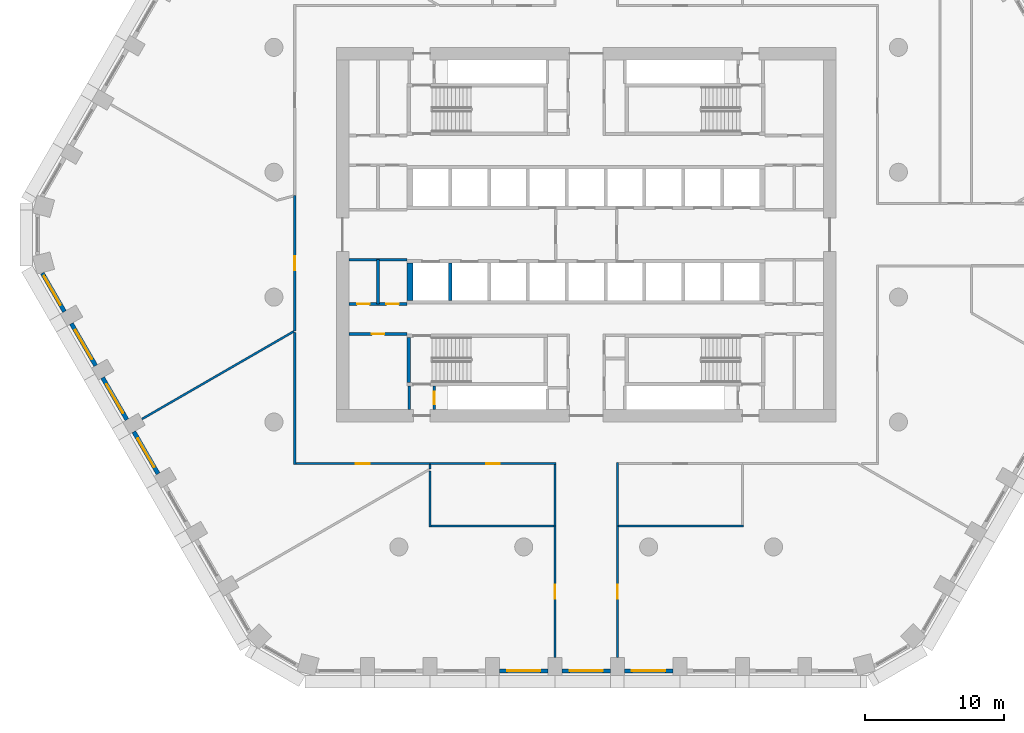
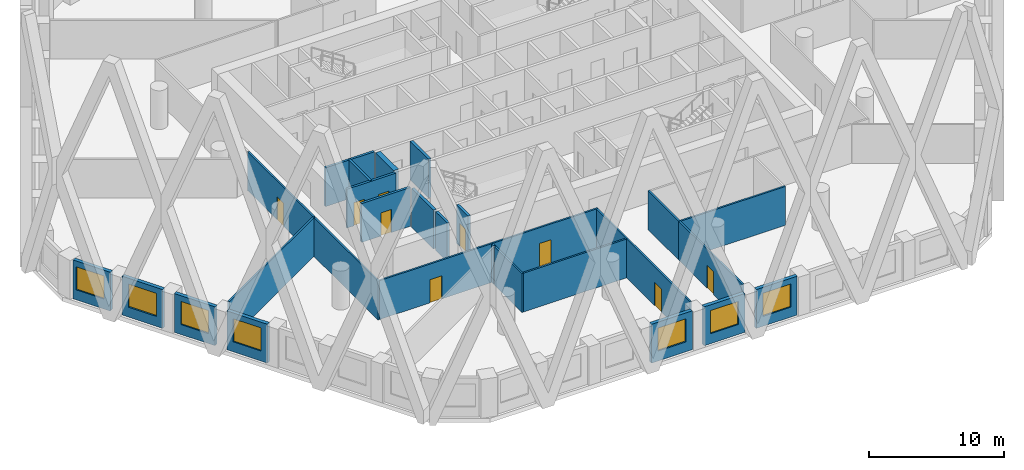
# One storey, part 2 of 18: 29 walls, 9 doors, 7 windows, 16 openings.
"""IFC4 building model written with IfcOpenShell, lengths in metres."""

from ifc_helpers import new_model, si_unit, direction, frame, frame_2d, origin, place, context, subcontext, project, spatial, polyline, rectangle, outline, extrude, material, layer, layer_set, type_object, element, fill, save


model = new_model("IFC4")

# Units and contexts
model_context = context("Model", 3, precision=1e-05, world=origin(), true_north=direction((0.0, 1.0)))
body_context = subcontext(model_context, "Body", "Model", "MODEL_VIEW")
ifc_project = project(units=[si_unit("LENGTHUNIT", "METRE"), si_unit("AREAUNIT", "SQUARE_METRE"), si_unit("VOLUMEUNIT", "CUBIC_METRE"), si_unit("PLANEANGLEUNIT", "RADIAN"), si_unit("MASSUNIT", "GRAM", prefix="KILO")], contexts=[model_context])

# Site, building, storey
site_placement = place(None, origin())
site = spatial("IfcSite", under=ifc_project, at=site_placement, CompositionType="ELEMENT")
building_placement = place(site_placement, origin())
building = spatial("IfcBuilding", under=site, at=building_placement, Name="Dhurran Vertical Campus", CompositionType="ELEMENT")
storey_placement = place(building_placement, frame((0.0, 0.0, 81.300048828125)))
storey = spatial("IfcBuildingStorey", under=building, at=storey_placement, Name="L19", CompositionType="ELEMENT", Elevation=81.300048828125)

# Wall, opening, window
ifc_material_1 = material(Name="Precast concrete C50/60", Category="concrete")
ifc_layer_1 = layer(ifc_material_1, 0.300048828125)
ifc_layer_set_1 = layer_set([ifc_layer_1], Name="Precast concrete C50/60")
wall_type_1 = type_object("IfcWallType", Name="Precast spandrel wall 300", PredefinedType="SOLIDWALL", material=ifc_layer_set_1)
wall_1_placement = place(storey_placement, frame((-6.24951171875, -31.4296875, 0.0), z_axis=(0.0, 0.0, 1.0), x_axis=(1.0, 0.0, 0.0)))
wall_1 = element("IfcWall", 1, at=wall_1_placement, inside=storey, type_object=wall_type_1, Name="EW1 L19.03", PredefinedType="SOLIDWALL", context=body_context, shape_type="SweptSolid", body=[
    extrude(rectangle(XDim=3.4990234375, YDim=0.300048828125, at=frame_2d((1.74951171875, 0.0))), origin(), (0.0, 0.0, 1.0), 3.52490234375),
])
opening_1_placement = place(wall_1_placement, frame((0.549560546875, 0.0, 0.89990234375)))
opening_1 = element("IfcOpeningElement", 2, at=opening_1_placement, cuts=wall_1, Name="Opening WT1", PredefinedType="OPENING", context=body_context, shape_type="SweptSolid", body=[
    extrude(rectangle(XDim=2.39990234375, YDim=2.10009765625, at=frame_2d((1.199951171875, 1.050048828125))), frame((0.0, 0.159912109375, 0.0), z_axis=(0.0, -1.0, 0.0), x_axis=(1.0, 0.0, 0.0)), (0.0, 0.0, 1.0), 0.320068359375),
])
ifc_material_2 = material(Name="Aluminium frame with solar-control glass", Category="aluminium")
window_type = type_object("IfcWindowType", Name="Punched window 2400 x 2100", PartitioningType="SINGLE_PANEL", PredefinedType="WINDOW", material=ifc_material_2)
window_1_placement = place(opening_1_placement, origin())
window_1 = element("IfcWindow", 3, at=window_1_placement, inside=storey, type_object=window_type, Name="WT1 L19.03", OverallHeight=2.10009765625, OverallWidth=2.39990234375, PartitioningType="SINGLE_PANEL", PredefinedType="WINDOW", context=body_context, shape_type="SweptSolid", body=[
    extrude(rectangle(XDim=2.39990234375, YDim=2.10009765625, at=frame_2d((1.199951171875, 1.050048828125))), frame((0.0, 0.030029296875, 0.0), z_axis=(0.0, -1.0, 0.0), x_axis=(1.0, 0.0, 0.0)), (0.0, 0.0, 1.0), 0.06005859375),
])
fill(opening_1, window_1)

wall_2_placement = place(storey_placement, frame((-1.74951171875, -31.4296875, 0.0), z_axis=(0.0, 0.0, 1.0), x_axis=(1.0, 0.0, 0.0)))
wall_2 = element("IfcWall", 4, at=wall_2_placement, inside=storey, type_object=wall_type_1, Name="EW1 L19.04", PredefinedType="SOLIDWALL", context=body_context, shape_type="SweptSolid", body=[
    extrude(rectangle(XDim=3.4990234375, YDim=0.300048828125, at=frame_2d((1.74951171875, 0.0))), origin(), (0.0, 0.0, 1.0), 3.52490234375),
])
opening_2_placement = place(wall_2_placement, frame((0.549560546875, 0.0, 0.89990234375)))
opening_2 = element("IfcOpeningElement", 5, at=opening_2_placement, cuts=wall_2, Name="Opening WT1", PredefinedType="OPENING", context=body_context, shape_type="SweptSolid", body=[
    extrude(rectangle(XDim=2.39990234375, YDim=2.10009765625, at=frame_2d((1.199951171875, 1.050048828125))), frame((0.0, 0.159912109375, 0.0), z_axis=(0.0, -1.0, 0.0), x_axis=(1.0, 0.0, 0.0)), (0.0, 0.0, 1.0), 0.320068359375),
])
window_2_placement = place(opening_2_placement, origin())
window_2 = element("IfcWindow", 6, at=window_2_placement, inside=storey, type_object=window_type, Name="WT1 L19.04", OverallHeight=2.10009765625, OverallWidth=2.39990234375, PartitioningType="SINGLE_PANEL", PredefinedType="WINDOW", context=body_context, shape_type="SweptSolid", body=[
    extrude(rectangle(XDim=2.39990234375, YDim=2.10009765625, at=frame_2d((1.199951171875, 1.050048828125))), frame((0.0, 0.030029296875, 0.0), z_axis=(0.0, -1.0, 0.0), x_axis=(1.0, 0.0, 0.0)), (0.0, 0.0, 1.0), 0.06005859375),
])
fill(opening_2, window_2)

wall_3_placement = place(storey_placement, frame((2.75048828125, -31.4296875, 0.0), z_axis=(0.0, 0.0, 1.0), x_axis=(1.0, 0.0, 0.0)))
wall_3 = element("IfcWall", 7, at=wall_3_placement, inside=storey, type_object=wall_type_1, Name="EW1 L19.05", PredefinedType="SOLIDWALL", context=body_context, shape_type="SweptSolid", body=[
    extrude(rectangle(XDim=3.4990234375, YDim=0.300048828125, at=frame_2d((1.74951171875, 0.0))), origin(), (0.0, 0.0, 1.0), 3.52490234375),
])
opening_3_placement = place(wall_3_placement, frame((0.549560546875, 0.0, 0.89990234375)))
opening_3 = element("IfcOpeningElement", 8, at=opening_3_placement, cuts=wall_3, Name="Opening WT1", PredefinedType="OPENING", context=body_context, shape_type="SweptSolid", body=[
    extrude(rectangle(XDim=2.39990234375, YDim=2.10009765625, at=frame_2d((1.199951171875, 1.050048828125))), frame((0.0, 0.159912109375, 0.0), z_axis=(0.0, -1.0, 0.0), x_axis=(1.0, 0.0, 0.0)), (0.0, 0.0, 1.0), 0.320068359375),
])
window_3_placement = place(opening_3_placement, origin())
window_3 = element("IfcWindow", 9, at=window_3_placement, inside=storey, type_object=window_type, Name="WT1 L19.05", OverallHeight=2.10009765625, OverallWidth=2.39990234375, PartitioningType="SINGLE_PANEL", PredefinedType="WINDOW", context=body_context, shape_type="SweptSolid", body=[
    extrude(rectangle(XDim=2.39990234375, YDim=2.10009765625, at=frame_2d((1.199951171875, 1.050048828125))), frame((0.0, 0.030029296875, 0.0), z_axis=(0.0, -1.0, 0.0), x_axis=(1.0, 0.0, 0.0)), (0.0, 0.0, 1.0), 0.06005859375),
])
fill(opening_3, window_3)

wall_4_placement = place(storey_placement, frame((-39.1904296875, -2.774169921875, 0.0), z_axis=(0.0, 0.0, 1.0), x_axis=(0.500004907028, -0.866022570692, 0.0)))
wall_4 = element("IfcWall", 10, at=wall_4_placement, inside=storey, type_object=wall_type_1, Name="EW1 L19.44", PredefinedType="SOLIDWALL", context=body_context, shape_type="SweptSolid", body=[
    extrude(rectangle(XDim=3.1923828125, YDim=0.300048828125, at=frame_2d((1.59619140625, 0.0))), origin(), (0.0, 0.0, 1.0), 3.52490234375),
])
opening_4_placement = place(wall_4_placement, frame((0.242919921875, 0.0, 0.89990234375)))
opening_4 = element("IfcOpeningElement", 11, at=opening_4_placement, cuts=wall_4, Name="Opening WT1", PredefinedType="OPENING", context=body_context, shape_type="SweptSolid", body=[
    extrude(rectangle(XDim=2.39990234375, YDim=2.10009765625, at=frame_2d((1.199951171875, 1.050048828125))), frame((0.0, 0.159912109375, 0.0), z_axis=(0.0, -1.0, 0.0), x_axis=(1.0, 0.0, 0.0)), (0.0, 0.0, 1.0), 0.320068359375),
])
window_4_placement = place(opening_4_placement, origin())
window_4 = element("IfcWindow", 12, at=window_4_placement, inside=storey, type_object=window_type, Name="WT1 L19.44", OverallHeight=2.10009765625, OverallWidth=2.39990234375, PartitioningType="SINGLE_PANEL", PredefinedType="WINDOW", context=body_context, shape_type="SweptSolid", body=[
    extrude(rectangle(XDim=2.39990234375, YDim=2.10009765625, at=frame_2d((1.199951171875, 1.050048828125))), frame((0.0, 0.030029296875, 0.0), z_axis=(0.0, -1.0, 0.0), x_axis=(1.0, 0.0, 0.0)), (0.0, 0.0, 1.0), 0.06005859375),
])
fill(opening_4, window_4)

wall_5_placement = place(storey_placement, frame((-37.09375, -6.405517578125, 0.0), z_axis=(0.0, 0.0, 1.0), x_axis=(0.499996256241, -0.866027565234, 0.0)))
wall_5 = element("IfcWall", 13, at=wall_5_placement, inside=storey, type_object=wall_type_1, Name="EW1 L19.45", PredefinedType="SOLIDWALL", context=body_context, shape_type="SweptSolid", body=[
    extrude(rectangle(XDim=3.4990234375, YDim=0.300048828125, at=frame_2d((1.74951171875, 0.0))), origin(), (0.0, 0.0, 1.0), 3.52490234375),
])
opening_5_placement = place(wall_5_placement, frame((0.549560546875, 0.0, 0.89990234375)))
opening_5 = element("IfcOpeningElement", 14, at=opening_5_placement, cuts=wall_5, Name="Opening WT1", PredefinedType="OPENING", context=body_context, shape_type="SweptSolid", body=[
    extrude(rectangle(XDim=2.39990234375, YDim=2.10009765625, at=frame_2d((1.199951171875, 1.050048828125))), frame((0.0, 0.159912109375, 0.0), z_axis=(0.0, -1.0, 0.0), x_axis=(1.0, 0.0, 0.0)), (0.0, 0.0, 1.0), 0.320068359375),
])
window_5_placement = place(opening_5_placement, origin())
window_5 = element("IfcWindow", 15, at=window_5_placement, inside=storey, type_object=window_type, Name="WT1 L19.45", OverallHeight=2.10009765625, OverallWidth=2.39990234375, PartitioningType="SINGLE_PANEL", PredefinedType="WINDOW", context=body_context, shape_type="SweptSolid", body=[
    extrude(rectangle(XDim=2.39990234375, YDim=2.10009765625, at=frame_2d((1.199951171875, 1.050048828125))), frame((0.0, 0.030029296875, 0.0), z_axis=(0.0, -1.0, 0.0), x_axis=(1.0, 0.0, 0.0)), (0.0, 0.0, 1.0), 0.06005859375),
])
fill(opening_5, window_5)

wall_6_placement = place(storey_placement, frame((-34.84375, -10.302734375, 0.0), z_axis=(0.0, 0.0, 1.0), x_axis=(0.499996256241, -0.866027565234, 0.0)))
wall_6 = element("IfcWall", 16, at=wall_6_placement, inside=storey, type_object=wall_type_1, Name="EW1 L19.46", PredefinedType="SOLIDWALL", context=body_context, shape_type="SweptSolid", body=[
    extrude(rectangle(XDim=3.4990234375, YDim=0.300048828125, at=frame_2d((1.74951171875, 0.0))), origin(), (0.0, 0.0, 1.0), 3.52490234375),
])
opening_6_placement = place(wall_6_placement, frame((0.549560546875, 0.0, 0.89990234375)))
opening_6 = element("IfcOpeningElement", 17, at=opening_6_placement, cuts=wall_6, Name="Opening WT1", PredefinedType="OPENING", context=body_context, shape_type="SweptSolid", body=[
    extrude(rectangle(XDim=2.39990234375, YDim=2.10009765625, at=frame_2d((1.199951171875, 1.050048828125))), frame((0.0, 0.159912109375, 0.0), z_axis=(0.0, -1.0, 0.0), x_axis=(1.0, 0.0, 0.0)), (0.0, 0.0, 1.0), 0.320068359375),
])
window_6_placement = place(opening_6_placement, origin())
window_6 = element("IfcWindow", 18, at=window_6_placement, inside=storey, type_object=window_type, Name="WT1 L19.46", OverallHeight=2.10009765625, OverallWidth=2.39990234375, PartitioningType="SINGLE_PANEL", PredefinedType="WINDOW", context=body_context, shape_type="SweptSolid", body=[
    extrude(rectangle(XDim=2.39990234375, YDim=2.10009765625, at=frame_2d((1.199951171875, 1.050048828125))), frame((0.0, 0.030029296875, 0.0), z_axis=(0.0, -1.0, 0.0), x_axis=(1.0, 0.0, 0.0)), (0.0, 0.0, 1.0), 0.06005859375),
])
fill(opening_6, window_6)

wall_7_placement = place(storey_placement, frame((-32.59375, -14.19970703125, 0.0), z_axis=(0.0, 0.0, 1.0), x_axis=(0.499996256241, -0.866027565234, 0.0)))
wall_7 = element("IfcWall", 19, at=wall_7_placement, inside=storey, type_object=wall_type_1, Name="EW1 L19.47", PredefinedType="SOLIDWALL", context=body_context, shape_type="SweptSolid", body=[
    extrude(rectangle(XDim=3.4990234375, YDim=0.300048828125, at=frame_2d((1.74951171875, 0.0))), origin(), (0.0, 0.0, 1.0), 3.52490234375),
])
opening_7_placement = place(wall_7_placement, frame((0.549560546875, 0.0, 0.89990234375)))
opening_7 = element("IfcOpeningElement", 20, at=opening_7_placement, cuts=wall_7, Name="Opening WT1", PredefinedType="OPENING", context=body_context, shape_type="SweptSolid", body=[
    extrude(rectangle(XDim=2.39990234375, YDim=2.10009765625, at=frame_2d((1.199951171875, 1.050048828125))), frame((0.0, 0.159912109375, 0.0), z_axis=(0.0, -1.0, 0.0), x_axis=(1.0, 0.0, 0.0)), (0.0, 0.0, 1.0), 0.320068359375),
])
window_7_placement = place(opening_7_placement, origin())
window_7 = element("IfcWindow", 21, at=window_7_placement, inside=storey, type_object=window_type, Name="WT1 L19.47", OverallHeight=2.10009765625, OverallWidth=2.39990234375, PartitioningType="SINGLE_PANEL", PredefinedType="WINDOW", context=body_context, shape_type="SweptSolid", body=[
    extrude(rectangle(XDim=2.39990234375, YDim=2.10009765625, at=frame_2d((1.199951171875, 1.050048828125))), frame((0.0, 0.030029296875, 0.0), z_axis=(0.0, -1.0, 0.0), x_axis=(1.0, 0.0, 0.0)), (0.0, 0.0, 1.0), 0.06005859375),
])
fill(opening_7, window_7)

# Wall
ifc_material_3 = material(Name="Fire-rated masonry blockwork", Category="masonry")
ifc_layer_2 = layer(ifc_material_3, 0.199951171875)
ifc_layer_set_2 = layer_set([ifc_layer_2], Name="Fire-rated masonry blockwork")
wall_type_2 = type_object("IfcWallType", Name="co-FIRE-PARTITION-200", PredefinedType="PARTITIONING", material=ifc_layer_set_2)
wall_8_placement = place(storey_placement, frame((-12.75, -12.60009765625, 0.0), z_axis=(0.0, 0.0, 1.0), x_axis=(0.0, 1.0, 0.0)))
element("IfcWall", 22, at=wall_8_placement, inside=storey, type_object=wall_type_2, Name="Core partition pass-ST3-o L19", PredefinedType="PARTITIONING", context=body_context, shape_type="SweptSolid", body=[
    extrude(rectangle(XDim=1.7001953125, YDim=0.199951171875, at=frame_2d((0.85009765625, 0.0))), origin(), (0.0, 0.0, 1.0), 3.52490234375),
])

# Wall, opening, door
wall_9_placement = place(storey_placement, frame((-10.949951171875, -12.60009765625, 0.0), z_axis=(0.0, 0.0, 1.0), x_axis=(0.0, 1.0, 0.0)))
wall_9 = element("IfcWall", 23, at=wall_9_placement, inside=storey, type_object=wall_type_2, Name="Core partition pass-ST3-i L19", PredefinedType="PARTITIONING", context=body_context, shape_type="SweptSolid", body=[
    extrude(rectangle(XDim=1.7001953125, YDim=0.199951171875, at=frame_2d((0.85009765625, 0.0))), origin(), (0.0, 0.0, 1.0), 3.52490234375),
])
opening_8_placement = place(wall_9_placement, frame((0.39990234375, 0.0, 0.0)))
opening_8 = element("IfcOpeningElement", 24, at=opening_8_placement, cuts=wall_9, Name="Opening T05-C10", PredefinedType="OPENING", context=body_context, shape_type="SweptSolid", body=[
    extrude(rectangle(XDim=0.89990234375, YDim=2.10009765625, at=frame_2d((0.449951171875, 1.050048828125))), frame((0.0, 0.10986328125, 0.0), z_axis=(0.0, -1.0, 0.0), x_axis=(1.0, 0.0, 0.0)), (0.0, 0.0, 1.0), 0.219970703125),
])
ifc_material_4 = material(Name="Fire-rated timber door set", Category="wood")
door_type_1 = type_object("IfcDoorType", Name="co-D-ROOM 900x2100", OperationType="SINGLE_SWING_LEFT", PredefinedType="DOOR", material=ifc_material_4)
door_1_placement = place(opening_8_placement, origin())
door_1 = element("IfcDoor", 25, at=door_1_placement, inside=storey, type_object=door_type_1, Name="Riser room door L19", OperationType="SINGLE_SWING_LEFT", OverallHeight=2.10009765625, OverallWidth=0.89990234375, PredefinedType="DOOR", context=body_context, shape_type="SweptSolid", body=[
    extrude(rectangle(XDim=0.89990234375, YDim=2.10009765625, at=frame_2d((0.449951171875, 1.050048828125))), frame((0.0, 0.02490234375, 0.0), z_axis=(0.0, -1.0, 0.0), x_axis=(1.0, 0.0, 0.0)), (0.0, 0.0, 1.0), 0.050048828125),
])
fill(opening_8, door_1)

wall_10_placement = place(storey_placement, frame((-17.10009765625, -7.14990234375, 0.0), z_axis=(0.0, 0.0, 1.0), x_axis=(1.0, 0.0, 0.0)))
wall_10 = element("IfcWall", 26, at=wall_10_placement, inside=storey, type_object=wall_type_2, Name="Core partition en-SW-w L19", PredefinedType="PARTITIONING", context=body_context, shape_type="SweptSolid", body=[
    extrude(rectangle(XDim=4.2001953125, YDim=0.199951171875, at=frame_2d((2.10009765625, 0.0))), origin(), (0.0, 0.0, 1.0), 3.52490234375),
])
opening_9_placement = place(wall_10_placement, frame((1.64990234375, 0.0, 0.0)))
opening_9 = element("IfcOpeningElement", 27, at=opening_9_placement, cuts=wall_10, Name="Opening T05-C19", PredefinedType="OPENING", context=body_context, shape_type="SweptSolid", body=[
    extrude(rectangle(XDim=0.89990234375, YDim=2.10009765625, at=frame_2d((0.449951171875, 1.050048828125))), frame((0.0, 0.10986328125, 0.0), z_axis=(0.0, -1.0, 0.0), x_axis=(1.0, 0.0, 0.0)), (0.0, 0.0, 1.0), 0.219970703125),
])
door_2_placement = place(opening_9_placement, origin())
door_2 = element("IfcDoor", 28, at=door_2_placement, inside=storey, type_object=door_type_1, Name="Store door L19", OperationType="SINGLE_SWING_LEFT", OverallHeight=2.10009765625, OverallWidth=0.89990234375, PredefinedType="DOOR", context=body_context, shape_type="SweptSolid", body=[
    extrude(rectangle(XDim=0.89990234375, YDim=2.10009765625, at=frame_2d((0.449951171875, 1.050048828125))), frame((0.0, 0.02490234375, 0.0), z_axis=(0.0, -1.0, 0.0), x_axis=(1.0, 0.0, 0.0)), (0.0, 0.0, 1.0), 0.050048828125),
])
fill(opening_9, door_2)

# Wall
wall_11_placement = place(storey_placement, frame((-15.0, -5.0, 0.0), z_axis=(0.0, 0.0, 1.0), x_axis=(0.0, 1.0, 0.0)))
element("IfcWall", 29, at=wall_11_placement, inside=storey, type_object=wall_type_2, Name="Core partition es-SW-cut0 L19", PredefinedType="PARTITIONING", context=body_context, shape_type="SweptSolid", body=[
    extrude(rectangle(XDim=3.199951171875, YDim=0.199951171875, at=frame_2d((1.60009765625, 0.0))), origin(), (0.0, 0.0, 1.0), 3.52490234375),
])

# Wall, openings, doors
wall_12_placement = place(storey_placement, frame((-17.10009765625, -5.0, 0.0), z_axis=(0.0, 0.0, 1.0), x_axis=(1.0, 0.0, 0.0)))
wall_12 = element("IfcWall", 30, at=wall_12_placement, inside=storey, type_object=wall_type_2, Name="Core partition es-SW-w L19", PredefinedType="PARTITIONING", context=body_context, shape_type="SweptSolid", body=[
    extrude(rectangle(XDim=4.2001953125, YDim=0.199951171875, at=frame_2d((2.10009765625, 0.0))), origin(), (0.0, 0.0, 1.0), 3.52490234375),
])
opening_10_placement = place(wall_12_placement, frame((0.60009765625, 0.0, 0.0)))
opening_10 = element("IfcOpeningElement", 31, at=opening_10_placement, cuts=wall_12, Name="Opening T05-C20", PredefinedType="OPENING", context=body_context, shape_type="SweptSolid", body=[
    extrude(rectangle(XDim=0.89990234375, YDim=2.10009765625, at=frame_2d((0.449951171875, 1.050048828125))), frame((0.0, 0.10986328125, 0.0), z_axis=(0.0, -1.0, 0.0), x_axis=(1.0, 0.0, 0.0)), (0.0, 0.0, 1.0), 0.219970703125),
])
opening_11_placement = place(wall_12_placement, frame((2.699951171875, 0.0, 0.0)))
opening_11 = element("IfcOpeningElement", 32, at=opening_11_placement, cuts=wall_12, Name="Opening T05-C21", PredefinedType="OPENING", context=body_context, shape_type="SweptSolid", body=[
    extrude(rectangle(XDim=0.89990234375, YDim=2.10009765625, at=frame_2d((0.449951171875, 1.050048828125))), frame((0.0, 0.10986328125, 0.0), z_axis=(0.0, -1.0, 0.0), x_axis=(1.0, 0.0, 0.0)), (0.0, 0.0, 1.0), 0.219970703125),
])
door_3_placement = place(opening_10_placement, origin())
door_3 = element("IfcDoor", 33, at=door_3_placement, inside=storey, type_object=door_type_1, Name="Waste room door L19", OperationType="SINGLE_SWING_LEFT", OverallHeight=2.10009765625, OverallWidth=0.89990234375, PredefinedType="DOOR", context=body_context, shape_type="SweptSolid", body=[
    extrude(rectangle(XDim=0.89990234375, YDim=2.10009765625, at=frame_2d((0.449951171875, 1.050048828125))), frame((0.0, 0.02490234375, 0.0), z_axis=(0.0, -1.0, 0.0), x_axis=(1.0, 0.0, 0.0)), (0.0, 0.0, 1.0), 0.050048828125),
])
fill(opening_10, door_3)
door_4_placement = place(opening_11_placement, origin())
door_4 = element("IfcDoor", 34, at=door_4_placement, inside=storey, type_object=door_type_1, Name="Water riser door L19", OperationType="SINGLE_SWING_LEFT", OverallHeight=2.10009765625, OverallWidth=0.89990234375, PredefinedType="DOOR", context=body_context, shape_type="SweptSolid", body=[
    extrude(rectangle(XDim=0.89990234375, YDim=2.10009765625, at=frame_2d((0.449951171875, 1.050048828125))), frame((0.0, 0.02490234375, 0.0), z_axis=(0.0, -1.0, 0.0), x_axis=(1.0, 0.0, 0.0)), (0.0, 0.0, 1.0), 0.050048828125),
])
fill(opening_11, door_4)

# Walls
wall_13_placement = place(storey_placement, frame((-17.10009765625, -1.800048828125, 0.0), z_axis=(0.0, 0.0, 1.0), x_axis=(1.0, 0.0, 0.0)))
element("IfcWall", 35, at=wall_13_placement, inside=storey, type_object=wall_type_2, Name="Core partition es-SW-l L19", PredefinedType="PARTITIONING", context=body_context, shape_type="SweptSolid", body=[
    extrude(rectangle(XDim=4.2001953125, YDim=0.199951171875, at=frame_2d((2.10009765625, 0.0))), origin(), (0.0, 0.0, 1.0), 3.52490234375),
])
ifc_material_5 = material(Name="Concrete C50/60", Category="concrete")
ifc_layer_3 = layer(ifc_material_5, 0.25)
ifc_layer_set_3 = layer_set([ifc_layer_3], Name="Concrete C50/60")
wall_type_3 = type_object("IfcWallType", Name="co-SHAFT-MASS-250", PredefinedType="SHEAR", material=ifc_layer_set_3)
wall_14_placement = place(storey_placement, origin())
element("IfcWall", 36, at=wall_14_placement, inside=storey, type_object=wall_type_3, Name="Lift shaft wall S L19 2", PredefinedType="SHEAR", context=body_context, shape_type="SweptSolid", body=[
    extrude(outline(polyline([(-12.89990234375, -4.75), (-12.47509765625, -4.75), (-12.47509765625, -2.050048828125), (-12.89990234375, -2.050048828125), (-12.89990234375, -4.75)])), origin(), (0.0, 0.0, 1.0), 3.52490234375),
])
wall_15_placement = place(storey_placement, origin())
element("IfcWall", 37, at=wall_15_placement, inside=storey, type_object=wall_type_3, Name="Lift shaft wall S L19 3", PredefinedType="SHEAR", context=body_context, shape_type="SweptSolid", body=[
    extrude(outline(polyline([(-9.925048828125, -4.75), (-9.675048828125, -4.75), (-9.675048828125, -2.050048828125), (-9.925048828125, -2.050048828125), (-9.925048828125, -4.75)])), origin(), (0.0, 0.0, 1.0), 3.52490234375),
])
ifc_material_6 = material(Name="Concrete C40/50", Category="concrete")
ifc_layer_4 = layer(ifc_material_6, 0.25)
ifc_layer_set_4 = layer_set([ifc_layer_4], Name="Concrete C40/50")
wall_type_4 = type_object("IfcWallType", Name="co-STAIR-WALL-250", PredefinedType="SHEAR", material=ifc_layer_set_4)
wall_16_placement = place(storey_placement, frame((-12.77490234375, -10.64990234375, 0.0), z_axis=(0.0, 0.0, 1.0), x_axis=(0.0, 1.0, 0.0)))
element("IfcWall", 38, at=wall_16_placement, inside=storey, type_object=wall_type_4, Name="Stair ST3 enclosure wall L19", PredefinedType="SHEAR", context=body_context, shape_type="SweptSolid", body=[
    extrude(rectangle(XDim=3.25, YDim=0.25, at=frame_2d((1.625, 0.0))), origin(), (0.0, 0.0, 1.0), 3.52490234375),
])
ifc_material_7 = material(Name="Gypsum board corridor wall on steel studs", Category="steel")
ifc_layer_5 = layer(ifc_material_7, 0.14990234375)
ifc_layer_set_5 = layer_set([ifc_layer_5], Name="Gypsum board corridor wall on steel studs")
wall_type_5 = type_object("IfcWallType", Name="fl-CW-150 corridor wall", PredefinedType="PARTITIONING", material=ifc_layer_set_5)
wall_17_placement = place(storey_placement, frame((-21.0, -7.05810546875, 0.0), z_axis=(0.0, 0.0, 1.0), x_axis=(0.0, -1.0, 0.0)))
element("IfcWall", 39, at=wall_17_placement, inside=storey, type_object=wall_type_5, Name="Partition 19-06", PredefinedType="PARTITIONING", context=body_context, shape_type="SweptSolid", body=[
    extrude(rectangle(XDim=9.516845703125, YDim=0.14990234375, at=frame_2d((4.75830078125, 0.0))), origin(), (0.0, 0.0, 1.0), 3.52490234375),
])

# Wall, opening, door
wall_18_placement = place(storey_placement, frame((-20.925048828125, -16.5, 0.0), z_axis=(0.0, 0.0, 1.0), x_axis=(1.0, 0.0, 0.0)))
wall_18 = element("IfcWall", 40, at=wall_18_placement, inside=storey, type_object=wall_type_5, Name="Partition 19-07", PredefinedType="PARTITIONING", context=body_context, shape_type="SweptSolid", body=[
    extrude(rectangle(XDim=9.675048828125, YDim=0.14990234375, at=frame_2d((4.83740234375, 0.0))), origin(), (0.0, 0.0, 1.0), 3.52490234375),
])
opening_12_placement = place(wall_18_placement, frame((4.33740234375, 0.0, 0.0)))
opening_12 = element("IfcOpeningElement", 41, at=opening_12_placement, cuts=wall_18, Name="Opening T05.03", PredefinedType="OPENING", context=body_context, shape_type="SweptSolid", body=[
    extrude(rectangle(XDim=1.0, YDim=2.10009765625, at=frame_2d((0.5, 1.050048828125))), frame((0.0, 0.0849609375, 0.0), z_axis=(0.0, -1.0, 0.0), x_axis=(1.0, 0.0, 0.0)), (0.0, 0.0, 1.0), 0.169921875),
])
ifc_material_8 = material(Name="Solid-core timber door set, fire-rated", Category="wood")
door_type_2 = type_object("IfcDoorType", Name="fl-D-1000x2100", OperationType="SINGLE_SWING_LEFT", PredefinedType="DOOR", material=ifc_material_8)
door_5_placement = place(opening_12_placement, origin())
door_5 = element("IfcDoor", 42, at=door_5_placement, inside=storey, type_object=door_type_2, Name="Door 19.03", OperationType="SINGLE_SWING_LEFT", OverallHeight=2.10009765625, OverallWidth=1.0, PredefinedType="DOOR", context=body_context, shape_type="SweptSolid", body=[
    extrude(rectangle(XDim=1.0, YDim=2.10009765625, at=frame_2d((0.5, 1.050048828125))), frame((0.0, 0.02490234375, 0.0), z_axis=(0.0, -1.0, 0.0), x_axis=(1.0, 0.0, 0.0)), (0.0, 0.0, 1.0), 0.050048828125),
])
fill(opening_12, door_5)

wall_19_placement = place(storey_placement, frame((-21.0, 2.81298828125, 0.0), z_axis=(0.0, 0.0, 1.0), x_axis=(0.0, -1.0, 0.0)))
wall_19 = element("IfcWall", 43, at=wall_19_placement, inside=storey, type_object=wall_type_5, Name="Partition 19-08", PredefinedType="PARTITIONING", context=body_context, shape_type="SweptSolid", body=[
    extrude(rectangle(XDim=9.740966796875, YDim=0.14990234375, at=frame_2d((4.87060546875, 0.0))), origin(), (0.0, 0.0, 1.0), 3.52490234375),
])
opening_13_placement = place(wall_19_placement, frame((4.37060546875, 0.0, 0.0)))
opening_13 = element("IfcOpeningElement", 44, at=opening_13_placement, cuts=wall_19, Name="Opening T05.01", PredefinedType="OPENING", context=body_context, shape_type="SweptSolid", body=[
    extrude(rectangle(XDim=1.0, YDim=2.10009765625, at=frame_2d((0.5, 1.050048828125))), frame((0.0, 0.0849609375, 0.0), z_axis=(0.0, -1.0, 0.0), x_axis=(1.0, 0.0, 0.0)), (0.0, 0.0, 1.0), 0.169921875),
])
door_6_placement = place(opening_13_placement, origin())
door_6 = element("IfcDoor", 45, at=door_6_placement, inside=storey, type_object=door_type_2, Name="Door 19.01", OperationType="SINGLE_SWING_RIGHT", OverallHeight=2.10009765625, OverallWidth=1.0, PredefinedType="DOOR", context=body_context, shape_type="SweptSolid", body=[
    extrude(rectangle(XDim=1.0, YDim=2.10009765625, at=frame_2d((0.5, 1.050048828125))), frame((0.0, 0.02490234375, 0.0), z_axis=(0.0, -1.0, 0.0), x_axis=(1.0, 0.0, 0.0)), (0.0, 0.0, 1.0), 0.050048828125),
])
fill(opening_13, door_6)

wall_20_placement = place(storey_placement, frame((-11.25, -16.5, 0.0), z_axis=(0.0, 0.0, 1.0), x_axis=(1.0, 0.0, 0.0)))
wall_20 = element("IfcWall", 46, at=wall_20_placement, inside=storey, type_object=wall_type_5, Name="Partition 19-14", PredefinedType="PARTITIONING", context=body_context, shape_type="SweptSolid", body=[
    extrude(rectangle(XDim=9.074951171875, YDim=0.14990234375, at=frame_2d((4.53759765625, 0.0))), origin(), (0.0, 0.0, 1.0), 3.52490234375),
])
opening_14_placement = place(wall_20_placement, frame((4.03759765625, 0.0, 0.0)))
opening_14 = element("IfcOpeningElement", 47, at=opening_14_placement, cuts=wall_20, Name="Opening T05.06", PredefinedType="OPENING", context=body_context, shape_type="SweptSolid", body=[
    extrude(rectangle(XDim=1.0, YDim=2.10009765625, at=frame_2d((0.5, 1.050048828125))), frame((0.0, 0.0849609375, 0.0), z_axis=(0.0, -1.0, 0.0), x_axis=(1.0, 0.0, 0.0)), (0.0, 0.0, 1.0), 0.169921875),
])
door_7_placement = place(opening_14_placement, origin())
door_7 = element("IfcDoor", 48, at=door_7_placement, inside=storey, type_object=door_type_2, Name="Door 19.06", OperationType="SINGLE_SWING_RIGHT", OverallHeight=2.10009765625, OverallWidth=1.0, PredefinedType="DOOR", context=body_context, shape_type="SweptSolid", body=[
    extrude(rectangle(XDim=1.0, YDim=2.10009765625, at=frame_2d((0.5, 1.050048828125))), frame((0.0, 0.02490234375, 0.0), z_axis=(0.0, -1.0, 0.0), x_axis=(1.0, 0.0, 0.0)), (0.0, 0.0, 1.0), 0.050048828125),
])
fill(opening_14, door_7)

wall_21_placement = place(storey_placement, frame((-2.25, -30.459716796875, 0.0), z_axis=(0.0, 0.0, 1.0), x_axis=(0.0, 1.0, 0.0)))
wall_21 = element("IfcWall", 49, at=wall_21_placement, inside=storey, type_object=wall_type_5, Name="Partition 19-19", PredefinedType="PARTITIONING", context=body_context, shape_type="SweptSolid", body=[
    extrude(rectangle(XDim=9.459716796875, YDim=0.14990234375, at=frame_2d((4.72998046875, 0.0))), origin(), (0.0, 0.0, 1.0), 3.52490234375),
])
opening_15_placement = place(wall_21_placement, frame((4.22998046875, 0.0, 0.0)))
opening_15 = element("IfcOpeningElement", 50, at=opening_15_placement, cuts=wall_21, Name="Opening T05.04", PredefinedType="OPENING", context=body_context, shape_type="SweptSolid", body=[
    extrude(rectangle(XDim=1.0, YDim=2.10009765625, at=frame_2d((0.5, 1.050048828125))), frame((0.0, 0.0849609375, 0.0), z_axis=(0.0, -1.0, 0.0), x_axis=(1.0, 0.0, 0.0)), (0.0, 0.0, 1.0), 0.169921875),
])
door_8_placement = place(opening_15_placement, origin())
door_8 = element("IfcDoor", 51, at=door_8_placement, inside=storey, type_object=door_type_2, Name="Door 19.04", OperationType="SINGLE_SWING_RIGHT", OverallHeight=2.10009765625, OverallWidth=1.0, PredefinedType="DOOR", context=body_context, shape_type="SweptSolid", body=[
    extrude(rectangle(XDim=1.0, YDim=2.10009765625, at=frame_2d((0.5, 1.050048828125))), frame((0.0, 0.02490234375, 0.0), z_axis=(0.0, -1.0, 0.0), x_axis=(1.0, 0.0, 0.0)), (0.0, 0.0, 1.0), 0.050048828125),
])
fill(opening_15, door_8)

# Wall
wall_22_placement = place(storey_placement, frame((-2.25, -21.0, 0.0), z_axis=(0.0, 0.0, 1.0), x_axis=(0.0, 1.0, 0.0)))
element("IfcWall", 52, at=wall_22_placement, inside=storey, type_object=wall_type_5, Name="Partition 19-20", PredefinedType="PARTITIONING", context=body_context, shape_type="SweptSolid", body=[
    extrude(rectangle(XDim=4.425048828125, YDim=0.14990234375, at=frame_2d((2.21240234375, 0.0))), origin(), (0.0, 0.0, 1.0), 3.52490234375),
])

# Wall, opening, door
wall_23_placement = place(storey_placement, frame((2.25, -21.0, 0.0), z_axis=(0.0, 0.0, 1.0), x_axis=(0.0, -1.0, 0.0)))
wall_23 = element("IfcWall", 53, at=wall_23_placement, inside=storey, type_object=wall_type_5, Name="Partition 19-23", PredefinedType="PARTITIONING", context=body_context, shape_type="SweptSolid", body=[
    extrude(rectangle(XDim=9.459716796875, YDim=0.14990234375, at=frame_2d((4.72998046875, 0.0))), origin(), (0.0, 0.0, 1.0), 3.52490234375),
])
opening_16_placement = place(wall_23_placement, frame((4.22998046875, 0.0, 0.0)))
opening_16 = element("IfcOpeningElement", 54, at=opening_16_placement, cuts=wall_23, Name="Opening T05.10", PredefinedType="OPENING", context=body_context, shape_type="SweptSolid", body=[
    extrude(rectangle(XDim=1.0, YDim=2.10009765625, at=frame_2d((0.5, 1.050048828125))), frame((0.0, 0.0849609375, 0.0), z_axis=(0.0, -1.0, 0.0), x_axis=(1.0, 0.0, 0.0)), (0.0, 0.0, 1.0), 0.169921875),
])
door_9_placement = place(opening_16_placement, origin())
door_9 = element("IfcDoor", 55, at=door_9_placement, inside=storey, type_object=door_type_2, Name="Door 19.10", OperationType="SINGLE_SWING_LEFT", OverallHeight=2.10009765625, OverallWidth=1.0, PredefinedType="DOOR", context=body_context, shape_type="SweptSolid", body=[
    extrude(rectangle(XDim=1.0, YDim=2.10009765625, at=frame_2d((0.5, 1.050048828125))), frame((0.0, 0.02490234375, 0.0), z_axis=(0.0, -1.0, 0.0), x_axis=(1.0, 0.0, 0.0)), (0.0, 0.0, 1.0), 0.050048828125),
])
fill(opening_16, door_9)

# Walls
wall_24_placement = place(storey_placement, frame((2.25, -16.425048828125, 0.0), z_axis=(0.0, 0.0, 1.0), x_axis=(0.0, -1.0, 0.0)))
element("IfcWall", 56, at=wall_24_placement, inside=storey, type_object=wall_type_5, Name="Partition 19-24", PredefinedType="PARTITIONING", context=body_context, shape_type="SweptSolid", body=[
    extrude(rectangle(XDim=4.574951171875, YDim=0.14990234375, at=frame_2d((2.28759765625, 0.0))), origin(), (0.0, 0.0, 1.0), 3.52490234375),
])
ifc_material_9 = material(Name="Gypsum board partition on steel studs", Category="steel")
ifc_layer_6 = layer(ifc_material_9, 0.14990234375)
ifc_layer_set_6 = layer_set([ifc_layer_6], Name="Gypsum board partition on steel studs")
wall_type_6 = type_object("IfcWallType", Name="fl-PW-150 fixed partition", PredefinedType="PARTITIONING", material=ifc_layer_set_6)
wall_25_placement = place(storey_placement, frame((-21.06494140625, -6.965576171875, 0.0), z_axis=(0.0, 0.0, 1.0), x_axis=(-0.866023362995, -0.500003534735, 0.0)))
element("IfcWall", 57, at=wall_25_placement, inside=storey, type_object=wall_type_6, Name="Partition 19-02", PredefinedType="PARTITIONING", context=body_context, shape_type="SweptSolid", body=[
    extrude(rectangle(XDim=12.63134765625, YDim=0.14990234375, at=frame_2d((6.315673828125, 0.0))), origin(), (0.0, 0.0, 1.0), 3.52490234375),
])
wall_26_placement = place(storey_placement, frame((-11.25, -17.01708984375, 0.0), z_axis=(0.0, 0.0, 1.0), x_axis=(0.0, -1.0, 0.0)))
element("IfcWall", 58, at=wall_26_placement, inside=storey, type_object=wall_type_6, Name="Partition 19-11", PredefinedType="PARTITIONING", context=body_context, shape_type="SweptSolid", body=[
    extrude(rectangle(XDim=4.057861328125, YDim=0.14990234375, at=frame_2d((2.02880859375, 0.0))), origin(), (0.0, 0.0, 1.0), 3.52490234375),
])
wall_27_placement = place(storey_placement, frame((-11.175048828125, -21.0, 0.0), z_axis=(0.0, 0.0, 1.0), x_axis=(1.0, 0.0, 0.0)))
element("IfcWall", 59, at=wall_27_placement, inside=storey, type_object=wall_type_6, Name="Partition 19-12", PredefinedType="PARTITIONING", context=body_context, shape_type="SweptSolid", body=[
    extrude(rectangle(XDim=8.85009765625, YDim=0.14990234375, at=frame_2d((4.425048828125, 0.0))), origin(), (0.0, 0.0, 1.0), 3.52490234375),
])
wall_28_placement = place(storey_placement, frame((-11.25, -16.574951171875, 0.0), z_axis=(0.0, 0.0, 1.0), x_axis=(0.0, -1.0, 0.0)))
element("IfcWall", 60, at=wall_28_placement, inside=storey, type_object=wall_type_6, Name="Partition 19-13", PredefinedType="PARTITIONING", context=body_context, shape_type="SweptSolid", body=[
    extrude(rectangle(XDim=0.31201171875, YDim=0.14990234375, at=frame_2d((0.156005859375, 0.0))), origin(), (0.0, 0.0, 1.0), 3.52490234375),
])
wall_29_placement = place(storey_placement, frame((11.324951171875, -21.0, 0.0), z_axis=(0.0, 0.0, 1.0), x_axis=(-1.0, 0.0, 0.0)))
element("IfcWall", 61, at=wall_29_placement, inside=storey, type_object=wall_type_6, Name="Partition 19-25", PredefinedType="PARTITIONING", context=body_context, shape_type="SweptSolid", body=[
    extrude(rectangle(XDim=9.0, YDim=0.14990234375, at=frame_2d((4.5, 0.0))), origin(), (0.0, 0.0, 1.0), 3.52490234375),
])

save(model, "model.ifc")
